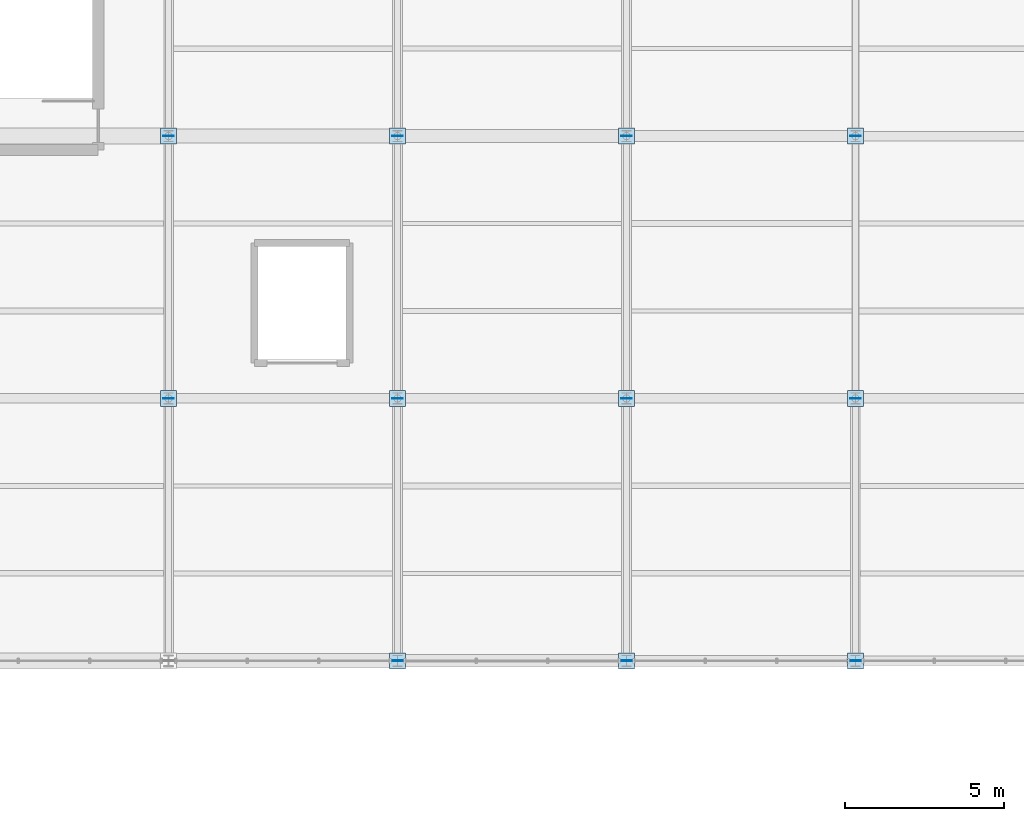
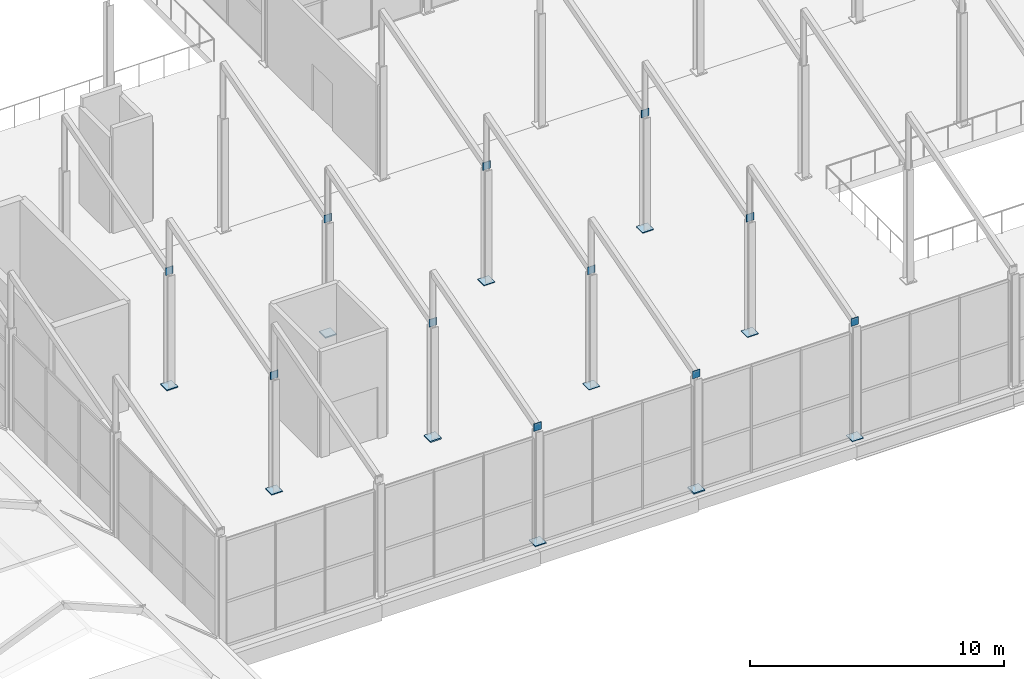
# One storey, part 109 of 141: 22 plates.
"""IFC4 building model written with IfcOpenShell, lengths in metres."""

from ifc_helpers import new_model, si_unit, direction, frame, origin, origin_2d, place, context, subcontext, project, spatial, rectangle, extrude, material, layer, layer_set, type_object, element, save


model = new_model("IFC4")

# Units and contexts
model_context = context("Model", 3, precision=1e-05, world=origin(), true_north=direction((0.0, 1.0)))
body_context = subcontext(model_context, "Body", "Model", "MODEL_VIEW")
ifc_project = project(units=[si_unit("LENGTHUNIT", "METRE"), si_unit("AREAUNIT", "SQUARE_METRE"), si_unit("VOLUMEUNIT", "CUBIC_METRE"), si_unit("PLANEANGLEUNIT", "RADIAN"), si_unit("MASSUNIT", "GRAM", prefix="KILO")], contexts=[model_context])

# Site, building, storey
site_placement = place(None, origin())
site = spatial("IfcSite", under=ifc_project, at=site_placement, CompositionType="ELEMENT")
building_placement = place(site_placement, origin())
building = spatial("IfcBuilding", under=site, at=building_placement, Name="Sundgate Opera House", CompositionType="ELEMENT")
storey_placement = place(building_placement, frame((0.0, 0.0, 11.39990234375)))
storey = spatial("IfcBuildingStorey", under=building, at=storey_placement, Name="L02", CompositionType="ELEMENT", Elevation=11.39990234375)

# Plates
ifc_material_1 = material(Name="Steel S355J2", Category="steel")
ifc_layer_1 = layer(ifc_material_1, 0.02587890625)
ifc_layer_set_1 = layer_set([ifc_layer_1], Name="Steel S355J2")
plate_type_1 = type_object("IfcPlateType", Name="PT-BAS-26", PredefinedType="USERDEFINED", material=ifc_layer_set_1)
plate_1_placement = place(storey_placement, frame((117.0, 16.5, 0.000244140625), z_axis=(0.0, 0.0, 1.0), x_axis=(1.0, 0.0, 0.0)))
element("IfcPlate", 1, at=plate_1_placement, inside=storey, type_object=plate_type_1, Name="L02 Base Plate PT0277", ObjectType="BASE PLATE", PredefinedType="USERDEFINED", context=body_context, shape_type="SweptSolid", body=[
    extrude(rectangle(XDim=0.5, YDim=0.5, at=origin_2d()), origin(), (0.0, 0.0, 1.0), 0.02587890625),
])
for number, where, z_axis, x_axis, name in (
    (2, (109.800048828125, 8.25, 5.3701171875), (0.0, 0.0, 1.0), (1.0, 0.0, 0.0), "Sawtooth Rafter End Cap PT0796"),
    (3, (117.0, 8.25, 5.3701171875), (0.0, 0.0, 1.0), (1.0, 0.0, 0.0), "Sawtooth Rafter End Cap PT0798"),
    (4, (124.199951171875, 8.25, 5.3701171875), (0.0, 0.0, 1.0), (1.0, 0.0, 0.0), "Sawtooth Rafter End Cap PT0800"),
    (5, (102.60009765625, 16.5, 5.3701171875), (0.0, 0.0, 1.0), (1.0, 0.0, 0.0), "Sawtooth Rafter End Cap PT0812"),
    (6, (109.800048828125, 16.5, 5.3701171875), (0.0, 0.0, 1.0), (1.0, 0.0, 0.0), "Sawtooth Rafter End Cap PT0814"),
    (7, (117.0, 16.5, 5.3701171875), (0.0, 0.0, 1.0), (1.0, 0.0, 0.0), "Sawtooth Rafter End Cap PT0816"),
    (8, (124.199951171875, 16.5, 5.3701171875), (0.0, 0.0, 1.0), (1.0, 0.0, 0.0), "Sawtooth Rafter End Cap PT0818"),
    (9, (102.60009765625, 24.75, 5.3701171875), (0.0, 0.0, 1.0), (1.0, 0.0, 0.0), "Sawtooth Rafter End Cap PT0830"),
    (10, (109.800048828125, 24.75, 5.3701171875), (0.0, 0.0, 1.0), (1.0, 0.0, 0.0), "Sawtooth Rafter End Cap PT0832"),
    (11, (117.0, 24.75, 5.3701171875), (0.0, 0.0, 1.0), (1.0, 0.0, 0.0), "Sawtooth Rafter End Cap PT0834"),
    (12, (124.199951171875, 24.75, 5.3701171875), (0.0, 0.0, 1.0), (1.0, 0.0, 0.0), "Sawtooth Rafter End Cap PT0836"),
):
    element("IfcPlate", number, at=place(storey_placement, frame(where, z_axis=z_axis, x_axis=x_axis)), inside=storey, type_object=plate_type_1, Name=name, ObjectType="BASE PLATE", PredefinedType="USERDEFINED", context=body_context, shape_type="SweptSolid", body=[
        extrude(rectangle(XDim=0.340087890625, YDim=0.02587890625, at=origin_2d()), origin(), (0.0, 0.0, 1.0), 0.360107421875),
    ])
ifc_material_2 = material(Name="Steel S355J2", Category="steel")
ifc_layer_2 = layer(ifc_material_2, 0.030029296875)
ifc_layer_set_2 = layer_set([ifc_layer_2], Name="Steel S355J2")
plate_type_2 = type_object("IfcPlateType", Name="PT-BAS-30", PredefinedType="USERDEFINED", material=ifc_layer_set_2)
plate_2_placement = place(storey_placement, frame((124.199951171875, 8.25, 0.0), z_axis=(0.0, 0.0, 1.0), x_axis=(1.0, 0.0, 0.0)))
element("IfcPlate", 13, at=plate_2_placement, inside=storey, type_object=plate_type_2, Name="L02 Base Plate PT0296", ObjectType="BASE PLATE", PredefinedType="USERDEFINED", context=body_context, shape_type="SweptSolid", body=[
    extrude(rectangle(XDim=0.5, YDim=0.5, at=origin_2d()), origin(), (0.0, 0.0, 1.0), 0.030029296875),
])
ifc_material_3 = material(Name="Steel S355J2", Category="steel")
ifc_layer_3 = layer(ifc_material_3, 0.033935546875)
ifc_layer_set_3 = layer_set([ifc_layer_3], Name="Steel S355J2")
plate_type_3 = type_object("IfcPlateType", Name="PT-BAS-34", PredefinedType="USERDEFINED", material=ifc_layer_set_3)
plate_3_placement = place(storey_placement, frame((117.0, 24.75, 0.0), z_axis=(0.0, 0.0, 1.0), x_axis=(1.0, 0.0, 0.0)))
element("IfcPlate", 14, at=plate_3_placement, inside=storey, type_object=plate_type_3, Name="L02 Base Plate PT0280", ObjectType="BASE PLATE", PredefinedType="USERDEFINED", context=body_context, shape_type="SweptSolid", body=[
    extrude(rectangle(XDim=0.5, YDim=0.5, at=origin_2d()), origin(), (0.0, 0.0, 1.0), 0.033935546875),
])
ifc_material_4 = material(Name="Steel S355J2", Category="steel")
ifc_layer_4 = layer(ifc_material_4, 0.035888671875)
ifc_layer_set_4 = layer_set([ifc_layer_4], Name="Steel S355J2")
plate_type_4 = type_object("IfcPlateType", Name="PT-BAS-36", PredefinedType="USERDEFINED", material=ifc_layer_set_4)
plate_4_placement = place(storey_placement, frame((124.199951171875, 16.5, 0.0), z_axis=(0.0, 0.0, 1.0), x_axis=(1.0, 0.0, 0.0)))
element("IfcPlate", 15, at=plate_4_placement, inside=storey, type_object=plate_type_4, Name="L02 Base Plate PT0299", ObjectType="BASE PLATE", PredefinedType="USERDEFINED", context=body_context, shape_type="SweptSolid", body=[
    extrude(rectangle(XDim=0.5, YDim=0.5, at=origin_2d()), origin(), (0.0, 0.0, 1.0), 0.035888671875),
])
ifc_material_5 = material(Name="Steel S355J2", Category="steel")
ifc_layer_5 = layer(ifc_material_5, 0.0400390625)
ifc_layer_set_5 = layer_set([ifc_layer_5], Name="Steel S355J2")
plate_type_5 = type_object("IfcPlateType", Name="PT-BAS-40", PredefinedType="USERDEFINED", material=ifc_layer_set_5)
plate_5_placement = place(storey_placement, frame((102.60009765625, 16.5, 0.0), z_axis=(0.0, 0.0, 1.0), x_axis=(1.0, 0.0, 0.0)))
element("IfcPlate", 16, at=plate_5_placement, inside=storey, type_object=plate_type_5, Name="L02 Base Plate PT0239", ObjectType="BASE PLATE", PredefinedType="USERDEFINED", context=body_context, shape_type="SweptSolid", body=[
    extrude(rectangle(XDim=0.5, YDim=0.5, at=origin_2d()), origin(), (0.0, 0.0, 1.0), 0.0400390625),
])
ifc_material_6 = material(Name="Steel S355J2", Category="steel")
ifc_layer_6 = layer(ifc_material_6, 0.044921875)
ifc_layer_set_6 = layer_set([ifc_layer_6], Name="Steel S355J2")
plate_type_6 = type_object("IfcPlateType", Name="PT-BAS-45", PredefinedType="USERDEFINED", material=ifc_layer_set_6)
for number, where, z_axis, x_axis, name in (
    (17, (109.800048828125, 8.25, 0.000244140625), (0.0, 0.0, 1.0), (1.0, 0.0, 0.0), "L02 Base Plate PT0255"),
    (18, (124.199951171875, 24.75, 0.000244140625), (0.0, 0.0, 1.0), (1.0, 0.0, 0.0), "L02 Base Plate PT0302"),
):
    element("IfcPlate", number, at=place(storey_placement, frame(where, z_axis=z_axis, x_axis=x_axis)), inside=storey, type_object=plate_type_6, Name=name, ObjectType="BASE PLATE", PredefinedType="USERDEFINED", context=body_context, shape_type="SweptSolid", body=[
        extrude(rectangle(XDim=0.5, YDim=0.5, at=origin_2d()), origin(), (0.0, 0.0, 1.0), 0.044921875),
    ])
ifc_material_7 = material(Name="Steel S355J2", Category="steel")
ifc_layer_7 = layer(ifc_material_7, 0.050048828125)
ifc_layer_set_7 = layer_set([ifc_layer_7], Name="Steel S355J2")
plate_type_7 = type_object("IfcPlateType", Name="PT-BAS-50", PredefinedType="USERDEFINED", material=ifc_layer_set_7)
plate_6_placement = place(storey_placement, frame((102.60009765625, 24.75, 0.0), z_axis=(0.0, 0.0, 1.0), x_axis=(1.0, 0.0, 0.0)))
element("IfcPlate", 19, at=plate_6_placement, inside=storey, type_object=plate_type_7, Name="L02 Base Plate PT0242", ObjectType="BASE PLATE", PredefinedType="USERDEFINED", context=body_context, shape_type="SweptSolid", body=[
    extrude(rectangle(XDim=0.5, YDim=0.5, at=origin_2d()), origin(), (0.0, 0.0, 1.0), 0.050048828125),
])
ifc_material_8 = material(Name="Steel S355J2", Category="steel")
ifc_layer_8 = layer(ifc_material_8, 0.055908203125)
ifc_layer_set_8 = layer_set([ifc_layer_8], Name="Steel S355J2")
plate_type_8 = type_object("IfcPlateType", Name="PT-BAS-56", PredefinedType="USERDEFINED", material=ifc_layer_set_8)
plate_7_placement = place(storey_placement, frame((109.800048828125, 24.75, 0.0), z_axis=(0.0, 0.0, 1.0), x_axis=(1.0, 0.0, 0.0)))
element("IfcPlate", 20, at=plate_7_placement, inside=storey, type_object=plate_type_8, Name="L02 Base Plate PT0261", ObjectType="BASE PLATE", PredefinedType="USERDEFINED", context=body_context, shape_type="SweptSolid", body=[
    extrude(rectangle(XDim=0.5, YDim=0.5, at=origin_2d()), origin(), (0.0, 0.0, 1.0), 0.055908203125),
])
ifc_material_9 = material(Name="Steel S355J2", Category="steel")
ifc_layer_9 = layer(ifc_material_9, 0.06201171875)
ifc_layer_set_9 = layer_set([ifc_layer_9], Name="Steel S355J2")
plate_type_9 = type_object("IfcPlateType", Name="PT-BAS-62", PredefinedType="USERDEFINED", material=ifc_layer_set_9)
plate_8_placement = place(storey_placement, frame((117.0, 8.25, 0.0), z_axis=(0.0, 0.0, 1.0), x_axis=(1.0, 0.0, 0.0)))
element("IfcPlate", 21, at=plate_8_placement, inside=storey, type_object=plate_type_9, Name="L02 Base Plate PT0274", ObjectType="BASE PLATE", PredefinedType="USERDEFINED", context=body_context, shape_type="SweptSolid", body=[
    extrude(rectangle(XDim=0.5, YDim=0.5, at=origin_2d()), origin(), (0.0, 0.0, 1.0), 0.06201171875),
])
ifc_material_10 = material(Name="Steel S355J2", Category="steel")
ifc_layer_10 = layer(ifc_material_10, 0.068115234375)
ifc_layer_set_10 = layer_set([ifc_layer_10], Name="Steel S355J2")
plate_type_10 = type_object("IfcPlateType", Name="PT-BAS-68", PredefinedType="USERDEFINED", material=ifc_layer_set_10)
plate_9_placement = place(storey_placement, frame((109.800048828125, 16.5, 0.0), z_axis=(0.0, 0.0, 1.0), x_axis=(1.0, 0.0, 0.0)))
element("IfcPlate", 22, at=plate_9_placement, inside=storey, type_object=plate_type_10, Name="L02 Base Plate PT0258", ObjectType="BASE PLATE", PredefinedType="USERDEFINED", context=body_context, shape_type="SweptSolid", body=[
    extrude(rectangle(XDim=0.5, YDim=0.5, at=origin_2d()), origin(), (0.0, 0.0, 1.0), 0.068115234375),
])

save(model, "model.ifc")
